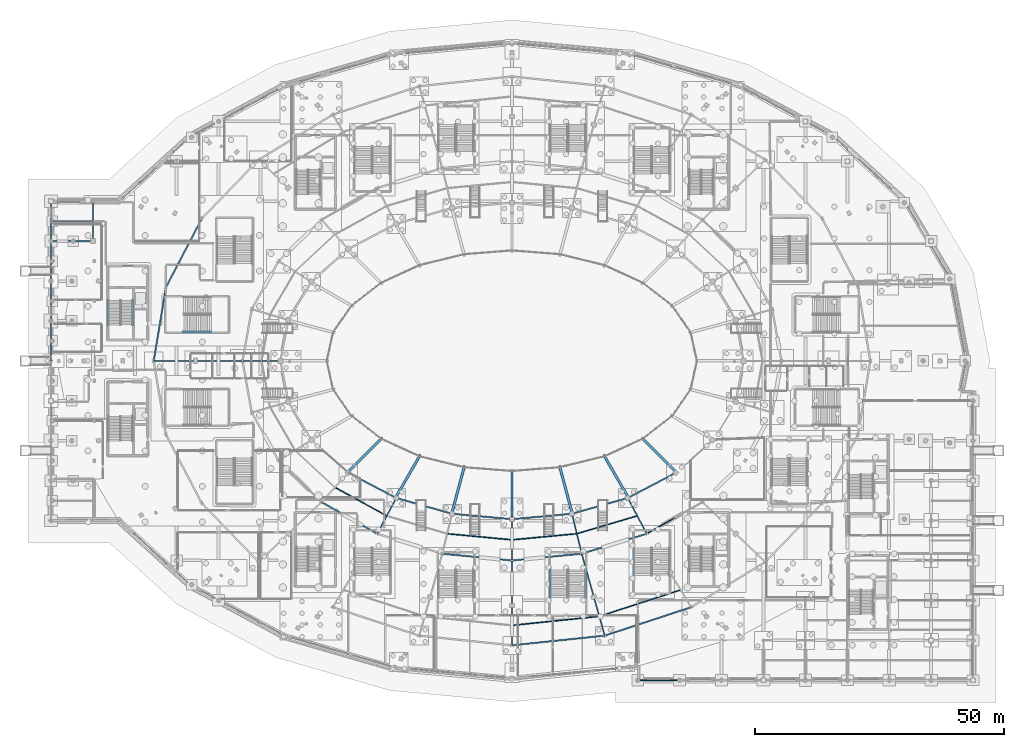
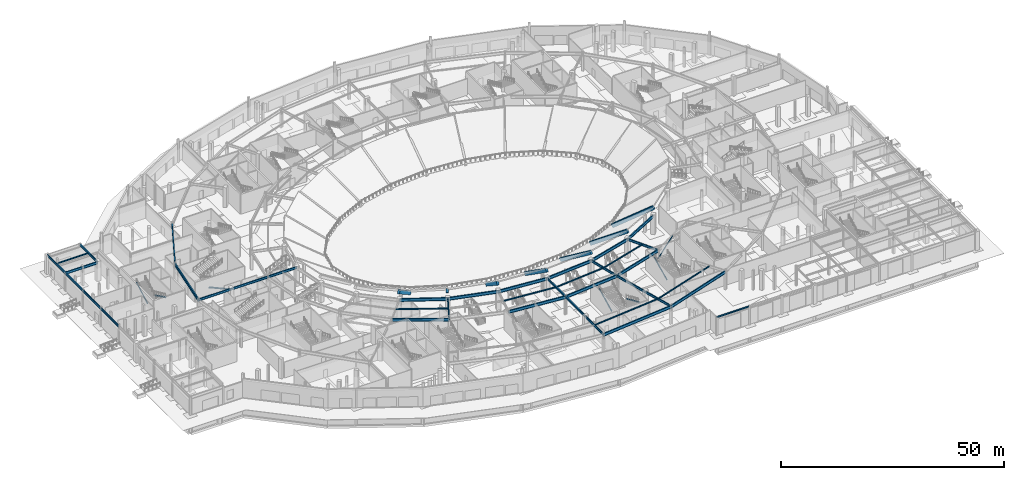
# One storey, part 34 of 93: 46 beams, 7 members.
"""IFC4 building model written with IfcOpenShell, lengths in metres."""

from ifc_helpers import new_model, si_unit, direction, frame, origin, origin_2d, place, context, subcontext, project, spatial, rectangle, hollow_circle, i_section, extrude, material, material_profile, profile_set, type_object, element, save


model = new_model("IFC4")

# Units and contexts
model_context = context("Model", 3, precision=1e-05, world=origin(), true_north=direction((0.0, 1.0)))
body_context = subcontext(model_context, "Body", "Model", "MODEL_VIEW")
ifc_project = project(units=[si_unit("LENGTHUNIT", "METRE"), si_unit("AREAUNIT", "SQUARE_METRE"), si_unit("VOLUMEUNIT", "CUBIC_METRE"), si_unit("PLANEANGLEUNIT", "RADIAN"), si_unit("MASSUNIT", "GRAM", prefix="KILO")], contexts=[model_context])

# Site, building, storey
site_placement = place(None, origin())
site = spatial("IfcSite", under=ifc_project, at=site_placement, CompositionType="ELEMENT")
building_placement = place(site_placement, origin())
building = spatial("IfcBuilding", under=site, at=building_placement, Name="Kalgoora Escarpment Arena", CompositionType="ELEMENT")
storey_placement = place(building_placement, origin())
storey = spatial("IfcBuildingStorey", under=building, at=storey_placement, Name="L00", CompositionType="ELEMENT", Elevation=0.0)

# Beams
ifc_material_1 = material(Name="Structural steel AS/NZS 3679 (300 MPa)", Category="steel")
ifc_material_profile_1 = material_profile(ifc_material_1, i_section(OverallWidth=0.172119140625, OverallDepth=0.35888671875, WebThickness=0.008056640625, FlangeThickness=0.012939453125, at=origin_2d()))
ifc_profile_set_1 = profile_set([ifc_material_profile_1], Name="Structural steel AS/NZS 3679 (300 MPa)")
beam_type_1 = type_object("IfcBeamType", Name="BM-BEAM-360UB56.7", PredefinedType="BEAM", material=ifc_profile_set_1)
beam_1_placement = place(storey_placement, frame((56.899658203125, 38.64306640625, 4.96044921875), z_axis=(0.87693223227, -0.480614044744, 0.0), x_axis=(0.480614044744, 0.87693223227, 0.0)))
element("IfcBeam", 1, at=beam_1_placement, inside=storey, type_object=beam_type_1, Name="L00 Concourse secondary ring beam 360UB56.7", PredefinedType="BEAM", context=body_context, shape_type="SweptSolid", body=[
    extrude(i_section(OverallWidth=0.172119140625, OverallDepth=0.35888671875, WebThickness=0.008056640625, FlangeThickness=0.012939453125, at=origin_2d()), origin(), (0.0, 0.0, 1.0), 11.857177734375),
])
beam_2_placement = place(storey_placement, frame((79.406005859375, 29.362060546875, 4.9404296875), z_axis=(0.995605767353, -0.093643771891, 0.0), x_axis=(0.093643771891, 0.995605767353, 0.0)))
element("IfcBeam", 2, at=beam_2_placement, inside=storey, type_object=beam_type_1, Name="L00 Concourse secondary ring beam 360UB56.7", PredefinedType="BEAM", context=body_context, shape_type="SweptSolid", body=[
    extrude(i_section(OverallWidth=0.172119140625, OverallDepth=0.35888671875, WebThickness=0.008056640625, FlangeThickness=0.012939453125, at=origin_2d()), origin(), (0.0, 0.0, 1.0), 13.05126953125),
])
beam_3_placement = place(storey_placement, frame((92.39990234375, 28.139892578125, 4.9404296875), z_axis=(0.995605931387, 0.093642027892, 0.0), x_axis=(-0.093642027892, 0.995605931387, 0.0)))
element("IfcBeam", 3, at=beam_3_placement, inside=storey, type_object=beam_type_1, Name="L00 Concourse secondary ring beam 360UB56.7", PredefinedType="BEAM", context=body_context, shape_type="SweptSolid", body=[
    extrude(i_section(OverallWidth=0.172119140625, OverallDepth=0.35888671875, WebThickness=0.008056640625, FlangeThickness=0.012939453125, at=origin_2d()), origin(), (0.0, 0.0, 1.0), 13.051513671875),
])
beam_4_placement = place(storey_placement, frame((92.39990234375, 11.0, 4.9404296875), z_axis=(0.99471538009, 0.10267089467, 0.0), x_axis=(-0.10267089467, 0.99471538009, 0.0)))
element("IfcBeam", 4, at=beam_4_placement, inside=storey, type_object=beam_type_1, Name="L00 Concourse secondary ring beam 360UB56.7", PredefinedType="BEAM", context=body_context, shape_type="SweptSolid", body=[
    extrude(i_section(OverallWidth=0.172119140625, OverallDepth=0.35888671875, WebThickness=0.008056640625, FlangeThickness=0.012939453125, at=origin_2d()), origin(), (0.0, 0.0, 1.0), 17.58935546875),
])
beam_5_placement = place(storey_placement, frame((105.39404296875, 29.362060546875, 4.9404296875), z_axis=(0.958914478104, 0.283695300775, 0.0), x_axis=(-0.283695300775, 0.958914478104, 0.0)))
element("IfcBeam", 5, at=beam_5_placement, inside=storey, type_object=beam_type_1, Name="L00 Concourse secondary ring beam 360UB56.7", PredefinedType="BEAM", context=body_context, shape_type="SweptSolid", body=[
    extrude(i_section(OverallWidth=0.172119140625, OverallDepth=0.35888671875, WebThickness=0.008056640625, FlangeThickness=0.012939453125, at=origin_2d()), origin(), (0.0, 0.0, 1.0), 12.627197265625),
])
beam_6_placement = place(storey_placement, frame((109.896240234375, 12.805908203125, 4.9404296875), z_axis=(0.951103123122, 0.308873516489, 0.0), x_axis=(-0.308873516489, 0.951103123122, 0.0)))
element("IfcBeam", 6, at=beam_6_placement, inside=storey, type_object=beam_type_1, Name="L00 Concourse secondary ring beam 360UB56.7", PredefinedType="BEAM", context=body_context, shape_type="SweptSolid", body=[
    extrude(i_section(OverallWidth=0.172119140625, OverallDepth=0.35888671875, WebThickness=0.008056640625, FlangeThickness=0.012939453125, at=origin_2d()), origin(), (0.0, 0.0, 1.0), 17.141845703125),
])
ifc_material_2 = material(Name="Structural steel AS/NZS 3679 (300 MPa)", Category="steel")
ifc_material_profile_2 = material_profile(ifc_material_2, i_section(OverallWidth=0.22900390625, OverallDepth=0.612060546875, WebThickness=0.011962890625, FlangeThickness=0.01953125, at=origin_2d()))
ifc_profile_set_2 = profile_set([ifc_material_profile_2], Name="Structural steel AS/NZS 3679 (300 MPa)")
beam_type_2 = type_object("IfcBeamType", Name="BM-GIRDER-610UB125", PredefinedType="USERDEFINED", material=ifc_profile_set_2)
beam_7_placement = place(storey_placement, frame((8.39990234375, 88.0, 4.823974609375), z_axis=(0.0, 1.0, 0.0), x_axis=(-1.0, 0.0, 0.0)))
element("IfcBeam", 7, at=beam_7_placement, inside=storey, type_object=beam_type_2, Name="L00 Floor girder 610UB125", ObjectType="GIRDER", PredefinedType="USERDEFINED", context=body_context, shape_type="SweptSolid", body=[
    extrude(i_section(OverallWidth=0.22900390625, OverallDepth=0.612060546875, WebThickness=0.011962890625, FlangeThickness=0.01953125, at=origin_2d()), origin(), (0.0, 0.0, 1.0), 8.0),
])
beam_8_placement = place(storey_placement, frame((45.989990234375, 64.0, 4.823974609375), z_axis=(-1.0, 0.0, 0.0), x_axis=(0.0, -1.0, 0.0)))
element("IfcBeam", 8, at=beam_8_placement, inside=storey, type_object=beam_type_2, Name="L00 Radial concourse girder 610UB125", ObjectType="GIRDER", PredefinedType="USERDEFINED", context=body_context, shape_type="SweptSolid", body=[
    extrude(i_section(OverallWidth=0.22900390625, OverallDepth=0.612060546875, WebThickness=0.011962890625, FlangeThickness=0.01953125, at=origin_2d()), origin(), (0.0, 0.0, 1.0), 7.590087890625),
])
beam_9_placement = place(storey_placement, frame((38.39990234375, 64.0, 4.823974609375), z_axis=(-1.0, 0.0, 0.0), x_axis=(0.0, -1.0, 0.0)))
element("IfcBeam", 9, at=beam_9_placement, inside=storey, type_object=beam_type_2, Name="L00 Radial concourse girder 610UB125", ObjectType="GIRDER", PredefinedType="USERDEFINED", context=body_context, shape_type="SweptSolid", body=[
    extrude(i_section(OverallWidth=0.22900390625, OverallDepth=0.612060546875, WebThickness=0.011962890625, FlangeThickness=0.01953125, at=origin_2d()), origin(), (0.0, 0.0, 1.0), 9.39990234375),
])
beam_10_placement = place(storey_placement, frame((29.0, 64.0, 4.823974609375), z_axis=(-1.0, 0.0, 0.0), x_axis=(0.0, -1.0, 0.0)))
element("IfcBeam", 10, at=beam_10_placement, inside=storey, type_object=beam_type_2, Name="L00 Radial concourse girder 610UB125", ObjectType="GIRDER", PredefinedType="USERDEFINED", context=body_context, shape_type="SweptSolid", body=[
    extrude(i_section(OverallWidth=0.22900390625, OverallDepth=0.612060546875, WebThickness=0.011962890625, FlangeThickness=0.01953125, at=origin_2d()), origin(), (0.0, 0.0, 1.0), 8.39990234375),
])
beam_11_placement = place(storey_placement, frame((69.195068359375, 36.52978515625, 4.833984375), z_axis=(-0.467772961987, -0.883848661273, 0.0), x_axis=(0.883848661273, -0.467772961987, 0.0)))
element("IfcBeam", 11, at=beam_11_placement, inside=storey, type_object=beam_type_2, Name="L00 Radial concourse girder 610UB125", ObjectType="GIRDER", PredefinedType="USERDEFINED", context=body_context, shape_type="SweptSolid", body=[
    extrude(i_section(OverallWidth=0.22900390625, OverallDepth=0.612060546875, WebThickness=0.011962890625, FlangeThickness=0.01953125, at=origin_2d()), origin(), (0.0, 0.0, 1.0), 8.11328125),
])
beam_12_placement = place(storey_placement, frame((92.39990234375, 32.280029296875, 4.81396484375), z_axis=(0.0, -1.0, 0.0), x_axis=(1.0, 0.0, 0.0)))
element("IfcBeam", 12, at=beam_12_placement, inside=storey, type_object=beam_type_2, Name="L00 Radial concourse girder 610UB125", ObjectType="GIRDER", PredefinedType="USERDEFINED", context=body_context, shape_type="SweptSolid", body=[
    extrude(i_section(OverallWidth=0.22900390625, OverallDepth=0.612060546875, WebThickness=0.011962890625, FlangeThickness=0.01953125, at=origin_2d()), origin(), (0.0, 0.0, 1.0), 8.280029296875),
])
beam_13_placement = place(storey_placement, frame((92.39990234375, 24.0, 4.81396484375), z_axis=(0.0, -1.0, 0.0), x_axis=(1.0, 0.0, 0.0)))
element("IfcBeam", 13, at=beam_13_placement, inside=storey, type_object=beam_type_2, Name="L00 Radial concourse girder 610UB125", ObjectType="GIRDER", PredefinedType="USERDEFINED", context=body_context, shape_type="SweptSolid", body=[
    extrude(i_section(OverallWidth=0.22900390625, OverallDepth=0.612060546875, WebThickness=0.011962890625, FlangeThickness=0.01953125, at=origin_2d()), origin(), (0.0, 0.0, 1.0), 9.0),
])
beam_14_placement = place(storey_placement, frame((92.39990234375, 15.0, 4.81396484375), z_axis=(0.0, -1.0, 0.0), x_axis=(1.0, 0.0, 0.0)))
element("IfcBeam", 14, at=beam_14_placement, inside=storey, type_object=beam_type_2, Name="L00 Radial concourse girder 610UB125", ObjectType="GIRDER", PredefinedType="USERDEFINED", context=body_context, shape_type="SweptSolid", body=[
    extrude(i_section(OverallWidth=0.22900390625, OverallDepth=0.612060546875, WebThickness=0.011962890625, FlangeThickness=0.01953125, at=origin_2d()), origin(), (0.0, 0.0, 1.0), 8.0),
])
beam_15_placement = place(storey_placement, frame((104.411865234375, 33.36083984375, 4.81396484375), z_axis=(0.238522773309, -0.971136904156, 0.0), x_axis=(0.971136904156, 0.238522773309, 0.0)))
element("IfcBeam", 15, at=beam_15_placement, inside=storey, type_object=beam_type_2, Name="L00 Radial concourse girder 610UB125", ObjectType="GIRDER", PredefinedType="USERDEFINED", context=body_context, shape_type="SweptSolid", body=[
    extrude(i_section(OverallWidth=0.22900390625, OverallDepth=0.612060546875, WebThickness=0.011962890625, FlangeThickness=0.01953125, at=origin_2d()), origin(), (0.0, 0.0, 1.0), 8.235595703125),
])
beam_16_placement = place(storey_placement, frame((106.376220703125, 25.363037109375, 4.81396484375), z_axis=(0.269498512386, -0.963000805722, 0.0), x_axis=(0.963000805722, 0.269498512386, 0.0)))
element("IfcBeam", 16, at=beam_16_placement, inside=storey, type_object=beam_type_2, Name="L00 Radial concourse girder 610UB125", ObjectType="GIRDER", PredefinedType="USERDEFINED", context=body_context, shape_type="SweptSolid", body=[
    extrude(i_section(OverallWidth=0.22900390625, OverallDepth=0.612060546875, WebThickness=0.011962890625, FlangeThickness=0.01953125, at=origin_2d()), origin(), (0.0, 0.0, 1.0), 9.02734375),
])
beam_17_placement = place(storey_placement, frame((108.80908203125, 16.669677734375, 4.81396484375), z_axis=(0.27082660355, -0.962628147734, 0.0), x_axis=(0.962628147734, 0.27082660355, 0.0)))
element("IfcBeam", 17, at=beam_17_placement, inside=storey, type_object=beam_type_2, Name="L00 Radial concourse girder 610UB125", ObjectType="GIRDER", PredefinedType="USERDEFINED", context=body_context, shape_type="SweptSolid", body=[
    extrude(i_section(OverallWidth=0.22900390625, OverallDepth=0.612060546875, WebThickness=0.011962890625, FlangeThickness=0.01953125, at=origin_2d()), origin(), (0.0, 0.0, 1.0), 8.027587890625),
])
beam_18_placement = place(storey_placement, frame((115.60498046875, 36.52978515625, 4.81396484375), z_axis=(0.467749454329, -0.883861102196, 0.0), x_axis=(0.883861102196, 0.467749454329, 0.0)))
element("IfcBeam", 18, at=beam_18_placement, inside=storey, type_object=beam_type_2, Name="L00 Radial concourse girder 610UB125", ObjectType="GIRDER", PredefinedType="USERDEFINED", context=body_context, shape_type="SweptSolid", body=[
    extrude(i_section(OverallWidth=0.22900390625, OverallDepth=0.612060546875, WebThickness=0.011962890625, FlangeThickness=0.01953125, at=origin_2d()), origin(), (0.0, 0.0, 1.0), 8.113037109375),
])
ifc_material_3 = material(Name="Structural steel AS/NZS 3679 (300 MPa)", Category="steel")
ifc_material_profile_3 = material_profile(ifc_material_3, i_section(OverallWidth=0.25, OverallDepth=0.699951171875, WebThickness=0.010009765625, FlangeThickness=0.02001953125, at=origin_2d()))
ifc_profile_set_3 = profile_set([ifc_material_profile_3], Name="Structural steel AS/NZS 3679 (300 MPa)")
beam_type_3 = type_object("IfcBeamType", Name="BM-GIRDER-700WB130", PredefinedType="USERDEFINED", material=ifc_profile_set_3)
beam_19_placement = place(storey_placement, frame((0.0, 88.0, 4.780029296875), z_axis=(1.0, 0.0, 0.0), x_axis=(0.0, 1.0, 0.0)))
element("IfcBeam", 19, at=beam_19_placement, inside=storey, type_object=beam_type_3, Name="L00 Floor girder 700WB130", ObjectType="GIRDER", PredefinedType="USERDEFINED", context=body_context, shape_type="SweptSolid", body=[
    extrude(i_section(OverallWidth=0.25, OverallDepth=0.699951171875, WebThickness=0.010009765625, FlangeThickness=0.02001953125, at=origin_2d()), origin(), (0.0, 0.0, 1.0), 8.39990234375),
])
ifc_material_4 = material(Name="Structural steel AS/NZS 3679 (300 MPa)", Category="steel")
ifc_material_profile_4 = material_profile(ifc_material_4, i_section(OverallWidth=0.27490234375, OverallDepth=0.800048828125, WebThickness=0.011962890625, FlangeThickness=0.02197265625, at=origin_2d()))
ifc_profile_set_4 = profile_set([ifc_material_profile_4], Name="Structural steel AS/NZS 3679 (300 MPa)")
beam_type_4 = type_object("IfcBeamType", Name="BM-GIRDER-800WB168", PredefinedType="USERDEFINED", material=ifc_profile_set_4)
beam_20_placement = place(storey_placement, frame((59.583251953125, 41.570556640625, 4.739990234375), z_axis=(0.88560380316, -0.464441496669, 0.0), x_axis=(0.464441496669, 0.88560380316, 0.0)))
element("IfcBeam", 20, at=beam_20_placement, inside=storey, type_object=beam_type_4, Name="L00 Circumferential concourse girder RMID 800WB168", ObjectType="GIRDER", PredefinedType="USERDEFINED", context=body_context, shape_type="SweptSolid", body=[
    extrude(i_section(OverallWidth=0.27490234375, OverallDepth=0.800048828125, WebThickness=0.011962890625, FlangeThickness=0.02197265625, at=origin_2d()), origin(), (0.0, 0.0, 1.0), 10.853515625),
])
beam_21_placement = place(storey_placement, frame((54.21630859375, 35.7158203125, 4.739990234375), z_axis=(0.869369098708, -0.494163303182, 0.0), x_axis=(0.494163303182, 0.869369098708, 0.0)))
element("IfcBeam", 21, at=beam_21_placement, inside=storey, type_object=beam_type_4, Name="L00 Circumferential concourse girder RMAIN 800WB168", ObjectType="GIRDER", PredefinedType="USERDEFINED", context=body_context, shape_type="SweptSolid", body=[
    extrude(i_section(OverallWidth=0.27490234375, OverallDepth=0.800048828125, WebThickness=0.011962890625, FlangeThickness=0.02197265625, at=origin_2d()), origin(), (0.0, 0.0, 1.0), 12.864013671875),
])
beam_22_placement = place(storey_placement, frame((69.195068359375, 36.52978515625, 4.739990234375), z_axis=(0.962181658824, -0.272408618482, 0.0), x_axis=(0.272408618482, 0.962181658824, 0.0)))
element("IfcBeam", 22, at=beam_22_placement, inside=storey, type_object=beam_type_4, Name="L00 Circumferential concourse girder RMID 800WB168", ObjectType="GIRDER", PredefinedType="USERDEFINED", context=body_context, shape_type="SweptSolid", body=[
    extrude(i_section(OverallWidth=0.27490234375, OverallDepth=0.800048828125, WebThickness=0.011962890625, FlangeThickness=0.02197265625, at=origin_2d()), origin(), (0.0, 0.0, 1.0), 11.633056640625),
])
beam_23_placement = place(storey_placement, frame((80.38818359375, 33.36083984375, 4.719970703125), z_axis=(0.99597624591, -0.089617618712, 0.0), x_axis=(0.089617618712, 0.99597624591, 0.0)))
element("IfcBeam", 23, at=beam_23_placement, inside=storey, type_object=beam_type_4, Name="L00 Circumferential concourse girder RMID 800WB168", ObjectType="GIRDER", PredefinedType="USERDEFINED", context=body_context, shape_type="SweptSolid", body=[
    extrude(i_section(OverallWidth=0.27490234375, OverallDepth=0.800048828125, WebThickness=0.011962890625, FlangeThickness=0.02197265625, at=origin_2d()), origin(), (0.0, 0.0, 1.0), 12.060302734375),
])
beam_24_placement = place(storey_placement, frame((78.423828125, 25.363037109375, 4.719970703125), z_axis=(0.995277952766, -0.097065940158, 0.0), x_axis=(0.097065940158, 0.995277952766, 0.0)))
element("IfcBeam", 24, at=beam_24_placement, inside=storey, type_object=beam_type_4, Name="L00 Circumferential concourse girder RMAIN 800WB168", ObjectType="GIRDER", PredefinedType="USERDEFINED", context=body_context, shape_type="SweptSolid", body=[
    extrude(i_section(OverallWidth=0.27490234375, OverallDepth=0.800048828125, WebThickness=0.011962890625, FlangeThickness=0.02197265625, at=origin_2d()), origin(), (0.0, 0.0, 1.0), 14.04248046875),
])
beam_25_placement = place(storey_placement, frame((92.39990234375, 32.280029296875, 4.719970703125), z_axis=(0.995976408486, 0.089615811881, 0.0), x_axis=(-0.089615811881, 0.995976408486, 0.0)))
element("IfcBeam", 25, at=beam_25_placement, inside=storey, type_object=beam_type_4, Name="L00 Circumferential concourse girder RMID 800WB168", ObjectType="GIRDER", PredefinedType="USERDEFINED", context=body_context, shape_type="SweptSolid", body=[
    extrude(i_section(OverallWidth=0.27490234375, OverallDepth=0.800048828125, WebThickness=0.011962890625, FlangeThickness=0.02197265625, at=origin_2d()), origin(), (0.0, 0.0, 1.0), 12.060546875),
])
beam_26_placement = place(storey_placement, frame((92.39990234375, 24.0, 4.719970703125), z_axis=(0.995278116569, 0.097064260569, 0.0), x_axis=(-0.097064260569, 0.995278116569, 0.0)))
element("IfcBeam", 26, at=beam_26_placement, inside=storey, type_object=beam_type_4, Name="L00 Circumferential concourse girder RMAIN 800WB168", ObjectType="GIRDER", PredefinedType="USERDEFINED", context=body_context, shape_type="SweptSolid", body=[
    extrude(i_section(OverallWidth=0.27490234375, OverallDepth=0.800048828125, WebThickness=0.011962890625, FlangeThickness=0.02197265625, at=origin_2d()), origin(), (0.0, 0.0, 1.0), 14.042724609375),
])
beam_27_placement = place(storey_placement, frame((104.411865234375, 33.36083984375, 4.719970703125), z_axis=(0.962181658824, 0.272408618482, 0.0), x_axis=(-0.272408618482, 0.962181658824, 0.0)))
element("IfcBeam", 27, at=beam_27_placement, inside=storey, type_object=beam_type_4, Name="L00 Circumferential concourse girder RMID 800WB168", ObjectType="GIRDER", PredefinedType="USERDEFINED", context=body_context, shape_type="SweptSolid", body=[
    extrude(i_section(OverallWidth=0.27490234375, OverallDepth=0.800048828125, WebThickness=0.011962890625, FlangeThickness=0.02197265625, at=origin_2d()), origin(), (0.0, 0.0, 1.0), 11.633056640625),
])
beam_28_placement = place(storey_placement, frame((106.376220703125, 25.363037109375, 4.719970703125), z_axis=(0.956014681671, 0.293318817038, 0.0), x_axis=(-0.293318817038, 0.956014681671, 0.0)))
element("IfcBeam", 28, at=beam_28_placement, inside=storey, type_object=beam_type_4, Name="L00 Circumferential concourse girder RMAIN 800WB168", ObjectType="GIRDER", PredefinedType="USERDEFINED", context=body_context, shape_type="SweptSolid", body=[
    extrude(i_section(OverallWidth=0.27490234375, OverallDepth=0.800048828125, WebThickness=0.011962890625, FlangeThickness=0.02197265625, at=origin_2d()), origin(), (0.0, 0.0, 1.0), 13.622802734375),
])
beam_29_placement = place(storey_placement, frame((115.60498046875, 36.52978515625, 4.719970703125), z_axis=(0.88560380316, 0.464441496669, 0.0), x_axis=(-0.464441496669, 0.88560380316, 0.0)))
element("IfcBeam", 29, at=beam_29_placement, inside=storey, type_object=beam_type_4, Name="L00 Circumferential concourse girder RMID 800WB168", ObjectType="GIRDER", PredefinedType="USERDEFINED", context=body_context, shape_type="SweptSolid", body=[
    extrude(i_section(OverallWidth=0.27490234375, OverallDepth=0.800048828125, WebThickness=0.011962890625, FlangeThickness=0.02197265625, at=origin_2d()), origin(), (0.0, 0.0, 1.0), 10.853515625),
])
ifc_material_5 = material(Name="Structural steel AS/NZS 3679 (300 MPa)", Category="steel")
ifc_material_profile_5 = material_profile(ifc_material_5, i_section(OverallWidth=0.172119140625, OverallDepth=0.35888671875, WebThickness=0.008056640625, FlangeThickness=0.012939453125, at=origin_2d()))
ifc_profile_set_5 = profile_set([ifc_material_profile_5], Name="Structural steel AS/NZS 3679 (300 MPa)")
beam_type_5 = type_object("IfcBeamType", Name="BM-JOIST-360UB56.7", PredefinedType="JOIST", material=ifc_profile_set_5)
beam_30_placement = place(storey_placement, frame((0.0, 92.0, 4.950439453125), z_axis=(1.0, 0.0, 0.0), x_axis=(0.0, 1.0, 0.0)))
element("IfcBeam", 30, at=beam_30_placement, inside=storey, type_object=beam_type_5, Name="L00 Secondary composite floor joist 360UB56.7", PredefinedType="JOIST", context=body_context, shape_type="SweptSolid", body=[
    extrude(i_section(OverallWidth=0.172119140625, OverallDepth=0.35888671875, WebThickness=0.008056640625, FlangeThickness=0.012939453125, at=origin_2d()), origin(), (0.0, 0.0, 1.0), 8.39990234375),
])
ifc_material_6 = material(Name="Precast concrete N50 (fc' 50 MPa)", Category="concrete")
ifc_material_profile_6 = material_profile(ifc_material_6, rectangle(XDim=0.5, YDim=0.949951171875, at=origin_2d()))
ifc_profile_set_6 = profile_set([ifc_material_profile_6], Name="Precast concrete N50 (fc' 50 MPa)")
beam_type_6 = type_object("IfcBeamType", Name="BM-RAKER-LOW", PredefinedType="USERDEFINED", material=ifc_profile_set_6)
for number, where, z_axis, x_axis, name in (
    (31, (66.237060546875, 48.443603515625, 0.25), (-0.578443885018, -0.578423081426, 0.575177721021), (0.707094065383, -0.707119496762, 0.0), "Lower bowl precast RAKER girder R16"),
    (32, (73.89990234375, 44.947509765625, 0.25), (-0.408997733721, -0.70844398902, 0.575176467036), (0.866037363387, -0.499979284789, 0.0), "Lower bowl precast RAKER girder R17"),
):
    element("IfcBeam", number, at=place(storey_placement, frame(where, z_axis=z_axis, x_axis=x_axis)), inside=storey, type_object=beam_type_6, Name=name, ObjectType="GIRDER", PredefinedType="USERDEFINED", context=body_context, shape_type="SweptSolid", body=[
        extrude(rectangle(XDim=0.5, YDim=0.949951171875, at=origin_2d()), origin(), (0.0, 0.0, 1.0), 11.735595703125),
    ])
beam_31_placement = place(storey_placement, frame((82.82373046875, 42.74951171875, 0.25), z_axis=(-0.211720576058, -0.790150260319, 0.575184286809), x_axis=(0.96592568818, -0.258819560533, 0.0)))
element("IfcBeam", 33, at=beam_31_placement, inside=storey, type_object=beam_type_6, Name="Lower bowl precast RAKER girder R18", ObjectType="GIRDER", PredefinedType="USERDEFINED", context=body_context, shape_type="SweptSolid", body=[
    extrude(rectangle(XDim=0.5, YDim=0.949951171875, at=origin_2d()), origin(), (0.0, 0.0, 1.0), 11.7353515625),
])
beam_32_placement = place(storey_placement, frame((92.39990234375, 42.0, 0.25), z_axis=(0.0, -0.81803191132, 0.575172836686), x_axis=(1.0, 0.0, 0.0)))
element("IfcBeam", 34, at=beam_32_placement, inside=storey, type_object=beam_type_6, Name="Lower bowl precast RAKER girder R19", ObjectType="GIRDER", PredefinedType="USERDEFINED", context=body_context, shape_type="SweptSolid", body=[
    extrude(rectangle(XDim=0.5, YDim=0.949951171875, at=origin_2d()), origin(), (0.0, 0.0, 1.0), 11.735595703125),
])
beam_33_placement = place(storey_placement, frame((101.976318359375, 42.74951171875, 0.25), z_axis=(0.211720576058, -0.790150260319, 0.575184286809), x_axis=(0.96592568818, 0.258819560533, 0.0)))
element("IfcBeam", 35, at=beam_33_placement, inside=storey, type_object=beam_type_6, Name="Lower bowl precast RAKER girder R20", ObjectType="GIRDER", PredefinedType="USERDEFINED", context=body_context, shape_type="SweptSolid", body=[
    extrude(rectangle(XDim=0.5, YDim=0.949951171875, at=origin_2d()), origin(), (0.0, 0.0, 1.0), 11.7353515625),
])
for number, where, z_axis, x_axis, name in (
    (36, (110.89990234375, 44.947509765625, 0.25), (0.409015057047, -0.708437961075, 0.575171573025), (0.866026351547, 0.499998358424, 0.0), "Lower bowl precast RAKER girder R21"),
    (37, (118.56298828125, 48.443603515625, 0.25), (0.578443885018, -0.578423081426, 0.575177721021), (0.707094065383, 0.707119496762, 0.0), "Lower bowl precast RAKER girder R22"),
):
    element("IfcBeam", number, at=place(storey_placement, frame(where, z_axis=z_axis, x_axis=x_axis)), inside=storey, type_object=beam_type_6, Name=name, ObjectType="GIRDER", PredefinedType="USERDEFINED", context=body_context, shape_type="SweptSolid", body=[
        extrude(rectangle(XDim=0.5, YDim=0.949951171875, at=origin_2d()), origin(), (0.0, 0.0, 1.0), 11.735595703125),
    ])
ifc_material_7 = material(Name="Structural steel AS/NZS 3679 (300 MPa)", Category="steel")
ifc_material_profile_7 = material_profile(ifc_material_7, i_section(OverallWidth=0.177978515625, OverallDepth=0.406005859375, WebThickness=0.0078125, FlangeThickness=0.0126953125, at=origin_2d()))
ifc_profile_set_7 = profile_set([ifc_material_profile_7], Name="Structural steel AS/NZS 3679 (300 MPa)")
beam_type_7 = type_object("IfcBeamType", Name="BM-SPANDREL-410UB59.7", PredefinedType="SPANDREL", material=ifc_profile_set_7)
beam_34_placement = place(storey_placement, frame((117.60009765625, 0.0, 4.947021484375), z_axis=(1.0, 0.0, 0.0), x_axis=(0.0, 1.0, 0.0)))
element("IfcBeam", 38, at=beam_34_placement, inside=storey, type_object=beam_type_7, Name="L00 Floor girder 410UB59.7", PredefinedType="SPANDREL", context=body_context, shape_type="SweptSolid", body=[
    extrude(i_section(OverallWidth=0.177978515625, OverallDepth=0.406005859375, WebThickness=0.0078125, FlangeThickness=0.0126953125, at=origin_2d()), origin(), (0.0, 0.0, 1.0), 8.39990234375),
])
ifc_material_8 = material(Name="Structural steel AS/NZS 3679 (300 MPa)", Category="steel")
ifc_material_profile_8 = material_profile(ifc_material_8, i_section(OverallWidth=0.22900390625, OverallDepth=0.612060546875, WebThickness=0.011962890625, FlangeThickness=0.01953125, at=origin_2d()))
ifc_profile_set_8 = profile_set([ifc_material_profile_8], Name="Structural steel AS/NZS 3679 (300 MPa)")
beam_type_8 = type_object("IfcBeamType", Name="BM-SPANDREL-610UB125", PredefinedType="SPANDREL", material=ifc_profile_set_8)
for number, where, z_axis, x_axis, name in (
    (39, (0.0, 64.0, 4.843994140625), (0.0, 1.0, 0.0), (-1.0, 0.0, 0.0), "L00 Floor girder 610UB125"),
    (40, (0.0, 72.0, 4.843994140625), (0.0, 1.0, 0.0), (-1.0, 0.0, 0.0), "L00 Floor girder 610UB125"),
    (41, (0.0, 80.0, 4.843994140625), (0.0, 1.0, 0.0), (-1.0, 0.0, 0.0), "L00 Floor girder 610UB125"),
    (42, (0.0, 88.0, 4.843994140625), (0.0, 1.0, 0.0), (-1.0, 0.0, 0.0), "L00 Floor girder 610UB125"),
):
    element("IfcBeam", number, at=place(storey_placement, frame(where, z_axis=z_axis, x_axis=x_axis)), inside=storey, type_object=beam_type_8, Name=name, PredefinedType="SPANDREL", context=body_context, shape_type="SweptSolid", body=[
        extrude(i_section(OverallWidth=0.22900390625, OverallDepth=0.612060546875, WebThickness=0.011962890625, FlangeThickness=0.01953125, at=origin_2d()), origin(), (0.0, 0.0, 1.0), 8.0),
    ])
ifc_material_9 = material(Name="Structural steel AS/NZS 3679 (300 MPa)", Category="steel")
ifc_material_profile_9 = material_profile(ifc_material_9, i_section(OverallWidth=0.27490234375, OverallDepth=0.800048828125, WebThickness=0.011962890625, FlangeThickness=0.02197265625, at=origin_2d()))
ifc_profile_set_9 = profile_set([ifc_material_profile_9], Name="Structural steel AS/NZS 3679 (300 MPa)")
beam_type_9 = type_object("IfcBeamType", Name="BM-SPANDREL-800WB168", PredefinedType="SPANDREL", material=ifc_profile_set_9)
beam_35_placement = place(storey_placement, frame((30.219482421875, 92.5, 4.72998046875), z_axis=(-0.462595600895, -0.886569405085, 0.0), x_axis=(0.886569405085, -0.462595600895, 0.0)))
element("IfcBeam", 43, at=beam_35_placement, inside=storey, type_object=beam_type_9, Name="L00 Circumferential concourse girder RCONC2 800WB168", PredefinedType="SPANDREL", context=body_context, shape_type="SweptSolid", body=[
    extrude(i_section(OverallWidth=0.27490234375, OverallDepth=0.800048828125, WebThickness=0.011962890625, FlangeThickness=0.02197265625, at=origin_2d()), origin(), (0.0, 0.0, 1.0), 15.506103515625),
])
beam_36_placement = place(storey_placement, frame((23.04638671875, 78.752685546875, 4.72998046875), z_axis=(-0.163586163215, -0.98652905036, 0.0), x_axis=(0.98652905036, -0.163586163215, 0.0)))
element("IfcBeam", 44, at=beam_36_placement, inside=storey, type_object=beam_type_9, Name="L00 Circumferential concourse girder RCONC2 800WB168", PredefinedType="SPANDREL", context=body_context, shape_type="SweptSolid", body=[
    extrude(i_section(OverallWidth=0.27490234375, OverallDepth=0.800048828125, WebThickness=0.011962890625, FlangeThickness=0.02197265625, at=origin_2d()), origin(), (0.0, 0.0, 1.0), 14.9541015625),
])
beam_37_placement = place(storey_placement, frame((92.39990234375, 7.0, 4.719970703125), z_axis=(0.994583146525, 0.103944045753, 0.0), x_axis=(-0.103944045753, 0.994583146525, 0.0)))
element("IfcBeam", 45, at=beam_37_placement, inside=storey, type_object=beam_type_9, Name="L00 Circumferential concourse girder RCONC2 800WB168", PredefinedType="SPANDREL", context=body_context, shape_type="SweptSolid", body=[
    extrude(i_section(OverallWidth=0.27490234375, OverallDepth=0.800048828125, WebThickness=0.011962890625, FlangeThickness=0.02197265625, at=origin_2d()), origin(), (0.0, 0.0, 1.0), 18.6845703125),
])
beam_38_placement = place(storey_placement, frame((110.983154296875, 8.942138671875, 4.719970703125), z_axis=(0.949954555117, 0.312388129115, 0.0), x_axis=(-0.312388129115, 0.949954555117, 0.0)))
element("IfcBeam", 46, at=beam_38_placement, inside=storey, type_object=beam_type_9, Name="L00 Circumferential concourse girder RCONC2 800WB168", PredefinedType="SPANDREL", context=body_context, shape_type="SweptSolid", body=[
    extrude(i_section(OverallWidth=0.27490234375, OverallDepth=0.800048828125, WebThickness=0.011962890625, FlangeThickness=0.02197265625, at=origin_2d()), origin(), (0.0, 0.0, 1.0), 18.229248046875),
])

# Members
ifc_material_10 = material(Name="Structural steel C350 (350 MPa)", Category="steel")
ifc_material_profile_10 = material_profile(ifc_material_10, hollow_circle(Radius=0.136474609375, WallThickness=0.00927734375, at=origin_2d()))
ifc_profile_set_10 = profile_set([ifc_material_profile_10], Name="Structural steel C350 (350 MPa)")
member_type_1 = type_object("IfcMemberType", Name="MEM-BRACE-CHS273", PredefinedType="BRACE", material=ifc_profile_set_10)
member_1_placement = place(storey_placement, frame((119.39990234375, 29.35888671875, 2.52001953125), z_axis=(0.813280106568, 0.462261240227, 0.353397812734), x_axis=(-0.494146996878, 0.86937836727, 0.0)))
element("IfcMember", 47, at=member_1_placement, inside=storey, type_object=member_type_1, Name="L00 concentric lateral brace R21-1", PredefinedType="BRACE", context=body_context, shape_type="SweptSolid", body=[
    extrude(hollow_circle(Radius=0.136474609375, WallThickness=0.00927734375, at=origin_2d()), origin(), (0.0, 0.0, 1.0), 6.8759765625),
])
ifc_material_11 = material(Name="Structural steel AS/NZS 3679 (300 MPa)", Category="steel")
ifc_material_profile_11 = material_profile(ifc_material_11, i_section(OverallWidth=0.090087890625, OverallDepth=0.300048828125, WebThickness=0.008056640625, FlangeThickness=0.01611328125, at=origin_2d()))
ifc_profile_set_11 = profile_set([ifc_material_profile_11], Name="Structural steel AS/NZS 3679 (300 MPa)")
member_type_2 = type_object("IfcMemberType", Name="MEM-STRINGER-PFC", PredefinedType="STRINGER", material=ifc_profile_set_11)
member_2_placement = place(storey_placement, frame((16.330078125, 76.110107421875, 0.219970703125), z_axis=(0.0, -0.89552873601, 0.445003688727), x_axis=(1.0, 0.0, 0.0)))
element("IfcMember", 48, at=member_2_placement, inside=storey, type_object=member_type_2, Name="ST01 L00 steel stair stringer 1", PredefinedType="STRINGER", context=body_context, shape_type="SweptSolid", body=[
    extrude(i_section(OverallWidth=0.090087890625, OverallDepth=0.300048828125, WebThickness=0.008056640625, FlangeThickness=0.01611328125, at=origin_2d()), origin(), (0.0, 0.0, 1.0), 5.48291015625),
])
member_3_placement = place(storey_placement, frame((11.570068359375, 71.199951171875, 2.659912109375), z_axis=(0.0, 0.876245342812, 0.481865229291), x_axis=(-1.0, 0.0, 0.0)))
element("IfcMember", 49, at=member_3_placement, inside=storey, type_object=member_type_2, Name="ST01 L00 steel stair stringer 2", PredefinedType="STRINGER", context=body_context, shape_type="SweptSolid", body=[
    extrude(i_section(OverallWidth=0.090087890625, OverallDepth=0.300048828125, WebThickness=0.008056640625, FlangeThickness=0.01611328125, at=origin_2d()), origin(), (0.0, 0.0, 1.0), 5.603515625),
])
member_4_placement = place(storey_placement, frame((107.1298828125, 22.110107421875, 0.219970703125), z_axis=(0.0, -0.914229045155, 0.405197794904), x_axis=(1.0, 0.0, 0.0)))
element("IfcMember", 50, at=member_4_placement, inside=storey, type_object=member_type_2, Name="ST15 L00 steel stair stringer 1", PredefinedType="STRINGER", context=body_context, shape_type="SweptSolid", body=[
    extrude(i_section(OverallWidth=0.090087890625, OverallDepth=0.300048828125, WebThickness=0.008056640625, FlangeThickness=0.01611328125, at=origin_2d()), origin(), (0.0, 0.0, 1.0), 6.021484375),
])
for number, where, z_axis, x_axis, name in (
    (51, (100.070068359375, 16.60498046875, 2.659912109375), (0.0, 0.897817331148, 0.440368073196), (-1.0, 0.0, 0.0), "ST15 L00 steel stair stringer 2"),
    (52, (116.8701171875, 21.0048828125, 2.659912109375), (0.0, 0.897817331148, 0.440368073196), (-1.0, 0.0, 0.0), "ST16 L00 steel stair stringer 2"),
):
    element("IfcMember", number, at=place(storey_placement, frame(where, z_axis=z_axis, x_axis=x_axis)), inside=storey, type_object=member_type_2, Name=name, PredefinedType="STRINGER", context=body_context, shape_type="SweptSolid", body=[
        extrude(i_section(OverallWidth=0.090087890625, OverallDepth=0.300048828125, WebThickness=0.008056640625, FlangeThickness=0.01611328125, at=origin_2d()), origin(), (0.0, 0.0, 1.0), 6.131591796875),
    ])
member_5_placement = place(storey_placement, frame((32.110107421875, 69.77001953125, 0.219970703125), z_axis=(-0.914229045155, 0.0, 0.405197794904), x_axis=(0.0, -1.0, 0.0)))
element("IfcMember", 53, at=member_5_placement, inside=storey, type_object=member_type_2, Name="ST17 L00 steel stair stringer 1", PredefinedType="STRINGER", context=body_context, shape_type="SweptSolid", body=[
    extrude(i_section(OverallWidth=0.090087890625, OverallDepth=0.300048828125, WebThickness=0.008056640625, FlangeThickness=0.01611328125, at=origin_2d()), origin(), (0.0, 0.0, 1.0), 6.021484375),
])

save(model, "model.ifc")
